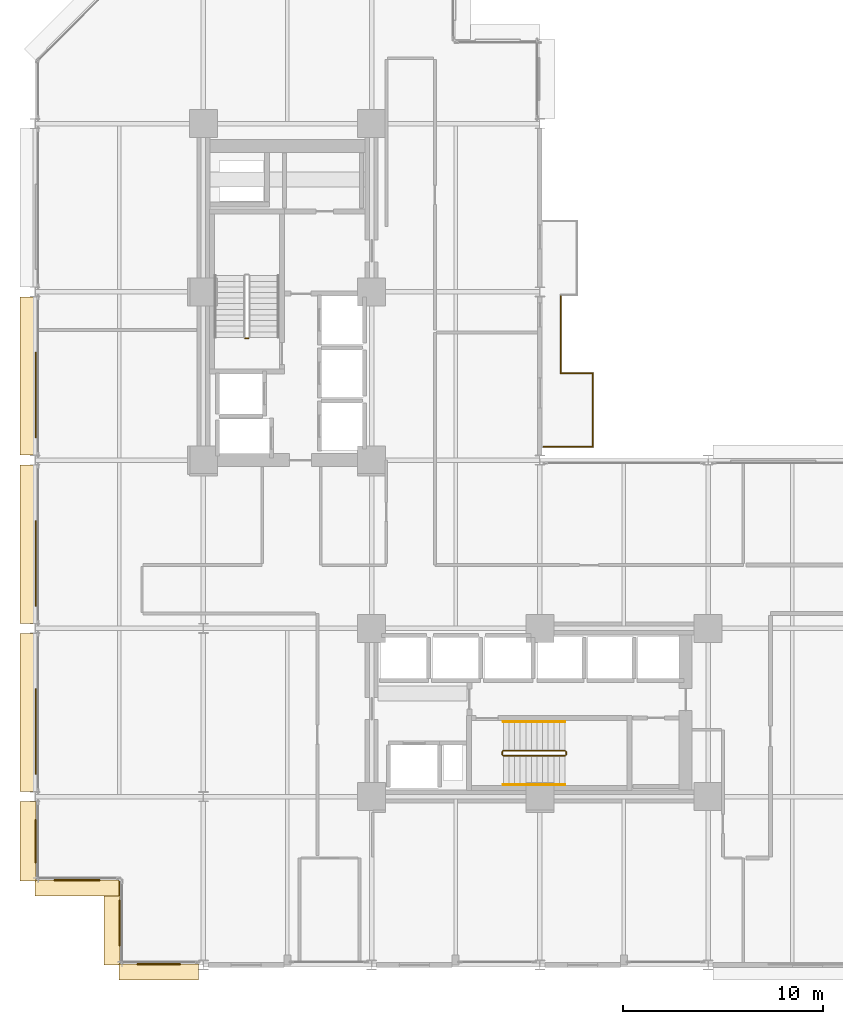
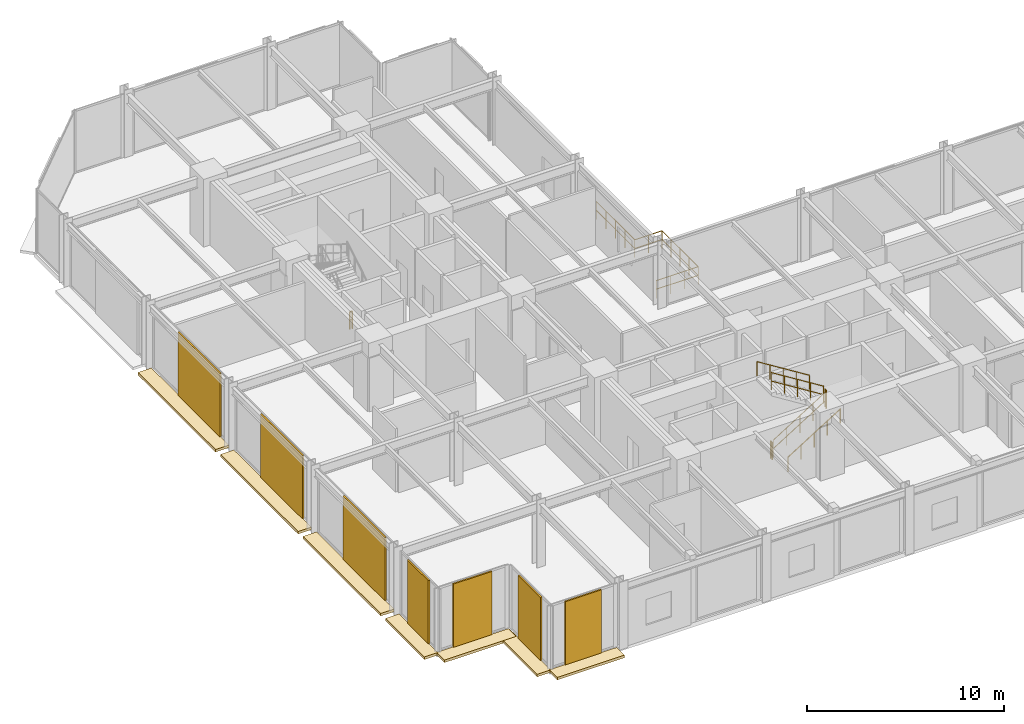
# One storey, part 23 of 25: 14 coverings, 11 railings.
"""IFC4 building model written with IfcOpenShell, lengths in metres."""

from ifc_helpers import new_model, si_unit, direction, frame, origin, origin_2d, place, context, subcontext, project, spatial, polyline, rectangle, circle, outline, extrude, material, layer, layer_set, type_object, element, save


model = new_model("IFC4")

# Units and contexts
model_context = context("Model", 3, precision=1e-05, world=origin(), true_north=direction((0.0, 1.0)))
body_context = subcontext(model_context, "Body", "Model", "MODEL_VIEW")
ifc_project = project(units=[si_unit("LENGTHUNIT", "METRE"), si_unit("AREAUNIT", "SQUARE_METRE"), si_unit("VOLUMEUNIT", "CUBIC_METRE"), si_unit("PLANEANGLEUNIT", "RADIAN"), si_unit("MASSUNIT", "GRAM", prefix="KILO")], contexts=[model_context])

# Site, building, storey
site_placement = place(None, origin())
site = spatial("IfcSite", under=ifc_project, at=site_placement, CompositionType="ELEMENT")
building_placement = place(site_placement, origin())
building = spatial("IfcBuilding", under=site, at=building_placement, Name="Nerrivon Quay Data Exchange", CompositionType="ELEMENT")
storey_placement = place(building_placement, frame((0.0, 0.0, 29.0)))
storey = spatial("IfcBuildingStorey", under=building, at=storey_placement, Name="L06", CompositionType="ELEMENT", Elevation=29.0)

# Coverings
ifc_material_1 = material(Name="Architectural terracotta ceramic", Category="masonry")
ifc_layer_1 = layer(ifc_material_1, 0.159912109375)
ifc_layer_set_1 = layer_set([ifc_layer_1], Name="Architectural terracotta ceramic")
covering_type_1 = type_object("IfcCoveringType", Name="COV-BLD-TERR", PredefinedType="CLADDING", material=ifc_layer_set_1)
covering_1_placement = place(storey_placement, frame((0.0, 0.0, -0.159912109375)))
element("IfcCovering", 1, at=covering_1_placement, inside=storey, type_object=covering_type_1, Name="L06 Horizontal Terracotta SOLAR SCREEN Blade", PredefinedType="CLADDING", context=body_context, shape_type="SweptSolid", body=[
    extrude(outline(polyline([(8.14990234375, 0.0400390625), (4.199951171875, 0.0400390625), (4.199951171875, -0.75), (8.14990234375, -0.75), (8.14990234375, 0.0400390625)])), origin(), (0.0, 0.0, 1.0), 0.159912109375),
])
covering_2_placement = place(storey_placement, frame((0.0, 0.0, -0.159912109375)))
element("IfcCovering", 2, at=covering_2_placement, inside=storey, type_object=covering_type_1, Name="L06 Horizontal Terracotta SOLAR SCREEN Blade", PredefinedType="CLADDING", context=body_context, shape_type="SweptSolid", body=[
    extrude(outline(polyline([(4.239990234375, 0.0), (4.239990234375, 4.199951171875), (3.449951171875, 4.199951171875), (3.449951171875, 0.0), (4.239990234375, 0.0)])), origin(), (0.0, 0.0, 1.0), 0.159912109375),
])
covering_3_placement = place(storey_placement, frame((0.0, 0.0, -0.159912109375)))
element("IfcCovering", 3, at=covering_3_placement, inside=storey, type_object=covering_type_1, Name="L06 Horizontal Terracotta SOLAR SCREEN Blade", PredefinedType="CLADDING", context=body_context, shape_type="SweptSolid", body=[
    extrude(outline(polyline([(4.199951171875, 4.239990234375), (0.0, 4.239990234375), (0.0, 3.449951171875), (4.199951171875, 3.449951171875), (4.199951171875, 4.239990234375)])), origin(), (0.0, 0.0, 1.0), 0.159912109375),
])
covering_4_placement = place(storey_placement, frame((0.0, 0.0, -0.159912109375)))
element("IfcCovering", 4, at=covering_4_placement, inside=storey, type_object=covering_type_1, Name="L06 Horizontal Terracotta SOLAR SCREEN Blade", PredefinedType="CLADDING", context=body_context, shape_type="SweptSolid", body=[
    extrude(outline(polyline([(0.0400390625, 4.199951171875), (0.0400390625, 8.14990234375), (-0.75, 8.14990234375), (-0.75, 4.199951171875), (0.0400390625, 4.199951171875)])), origin(), (0.0, 0.0, 1.0), 0.159912109375),
])
covering_5_placement = place(storey_placement, frame((0.0, 0.0, -0.159912109375)))
element("IfcCovering", 5, at=covering_5_placement, inside=storey, type_object=covering_type_1, Name="L06 Horizontal Terracotta SOLAR SCREEN Blade", PredefinedType="CLADDING", context=body_context, shape_type="SweptSolid", body=[
    extrude(outline(polyline([(0.0400390625, 8.64990234375), (0.0400390625, 16.550048828125), (-0.75, 16.550048828125), (-0.75, 8.64990234375), (0.0400390625, 8.64990234375)])), origin(), (0.0, 0.0, 1.0), 0.159912109375),
])
covering_6_placement = place(storey_placement, frame((0.0, 0.0, -0.159912109375)))
element("IfcCovering", 6, at=covering_6_placement, inside=storey, type_object=covering_type_1, Name="L06 Horizontal Terracotta SOLAR SCREEN Blade", PredefinedType="CLADDING", context=body_context, shape_type="SweptSolid", body=[
    extrude(outline(polyline([(0.0400390625, 17.050048828125), (0.0400390625, 24.949951171875), (-0.75, 24.949951171875), (-0.75, 17.050048828125), (0.0400390625, 17.050048828125)])), origin(), (0.0, 0.0, 1.0), 0.159912109375),
])
covering_7_placement = place(storey_placement, frame((0.0, 0.0, -0.159912109375)))
element("IfcCovering", 7, at=covering_7_placement, inside=storey, type_object=covering_type_1, Name="L06 Horizontal Terracotta SOLAR SCREEN Blade", PredefinedType="CLADDING", context=body_context, shape_type="SweptSolid", body=[
    extrude(outline(polyline([(0.0400390625, 25.449951171875), (0.0400390625, 33.35009765625), (-0.75, 33.35009765625), (-0.75, 25.449951171875), (0.0400390625, 25.449951171875)])), origin(), (0.0, 0.0, 1.0), 0.159912109375),
])
ifc_layer_2 = layer(ifc_material_1, 0.090087890625)
ifc_layer_set_2 = layer_set([ifc_layer_2], Name="Architectural terracotta ceramic")
covering_type_2 = type_object("IfcCoveringType", Name="COV-SCR-TERR", PredefinedType="CLADDING", material=ifc_layer_set_2)
covering_8_placement = place(storey_placement, frame((6.175048828125, 0.044921875, 0.0), z_axis=(0.0, 0.0, 1.0), x_axis=(-1.0, 0.0, 0.0)))
element("IfcCovering", 8, at=covering_8_placement, inside=storey, type_object=covering_type_2, Name="L06 Perforated Terracotta SOLAR SCREEN Cassette", PredefinedType="CLADDING", context=body_context, shape_type="SweptSolid", body=[
    extrude(rectangle(XDim=2.133056640625, YDim=0.090087890625, at=origin_2d()), origin(), (0.0, 0.0, 1.0), 3.925048828125),
])
for number, where, z_axis, x_axis, name in (
    (9, (4.2451171875, 2.10009765625, 0.0), (0.0, 0.0, 1.0), (0.0, 1.0, 0.0), "L06 Perforated Terracotta SOLAR SCREEN Cassette"),
    (10, (2.10009765625, 4.2451171875, 0.0), (0.0, 0.0, 1.0), (-1.0, 0.0, 0.0), "L06 Perforated Terracotta SOLAR SCREEN Cassette"),
):
    element("IfcCovering", number, at=place(storey_placement, frame(where, z_axis=z_axis, x_axis=x_axis)), inside=storey, type_object=covering_type_2, Name=name, PredefinedType="CLADDING", context=body_context, shape_type="SweptSolid", body=[
        extrude(rectangle(XDim=2.26806640625, YDim=0.090087890625, at=origin_2d()), origin(), (0.0, 0.0, 1.0), 3.925048828125),
    ])
covering_9_placement = place(storey_placement, frame((0.044921875, 6.175048828125, 0.0), z_axis=(0.0, 0.0, 1.0), x_axis=(0.0, 1.0, 0.0)))
element("IfcCovering", 11, at=covering_9_placement, inside=storey, type_object=covering_type_2, Name="L06 Perforated Terracotta SOLAR SCREEN Cassette", PredefinedType="CLADDING", context=body_context, shape_type="SweptSolid", body=[
    extrude(rectangle(XDim=2.133056640625, YDim=0.090087890625, at=origin_2d()), origin(), (0.0, 0.0, 1.0), 3.925048828125),
])
for number, where, z_axis, x_axis, name in (
    (12, (0.044921875, 11.652099609375, 0.0), (0.0, 0.0, 1.0), (0.0, 1.0, 0.0), "L06 Perforated Terracotta SOLAR SCREEN Cassette"),
    (13, (0.044921875, 20.052001953125, 0.0), (0.0, 0.0, 1.0), (0.0, 1.0, 0.0), "L06 Perforated Terracotta SOLAR SCREEN Cassette"),
    (14, (0.044921875, 28.451904296875, 0.0), (0.0, 0.0, 1.0), (0.0, 1.0, 0.0), "L06 Perforated Terracotta SOLAR SCREEN Cassette"),
):
    element("IfcCovering", number, at=place(storey_placement, frame(where, z_axis=z_axis, x_axis=x_axis)), inside=storey, type_object=covering_type_2, Name=name, PredefinedType="CLADDING", context=body_context, shape_type="SweptSolid", body=[
        extrude(rectangle(XDim=4.26611328125, YDim=0.090087890625, at=origin_2d()), origin(), (0.0, 0.0, 1.0), 3.925048828125),
    ])

# Railings
ifc_material_2 = material(Name="Steel Grade C350L0 (350 MPa)", Category="steel")
railing_type_1 = type_object("IfcRailingType", Name="RAIL-GUARD-GR2", PredefinedType="BALUSTRADE", material=ifc_material_2)
railing_1_placement = place(storey_placement, frame((26.239990234375, 29.5400390625, 0.0)))
element("IfcRailing", 15, at=railing_1_placement, inside=storey, type_object=railing_type_1, Name="L06 Verandah Balcony Guard 1.1 1", PredefinedType="BALUSTRADE", context=body_context, shape_type="SweptSolid", body=[
    extrude(circle(Radius=0.02392578125, at=origin_2d()), frame((0.0, 0.0, 1.09619140625), z_axis=(1.0, 0.0, 0.0), x_axis=(0.0, 1.0, 0.0)), (0.0, 0.0, 1.0), 1.60009765625),
    extrude(circle(Radius=0.02392578125, at=origin_2d()), frame((0.0, 0.0, 0.56005859375), z_axis=(1.0, 0.0, 0.0), x_axis=(0.0, 1.0, 0.0)), (0.0, 0.0, 1.0), 1.60009765625),
    extrude(circle(Radius=0.02099609375, at=origin_2d()), origin(), (0.0, 0.0, 1.0), 1.072021484375),
    extrude(circle(Radius=0.02099609375, at=origin_2d()), frame((0.800048828125, 0.0, 0.0)), (0.0, 0.0, 1.0), 1.072021484375),
    extrude(circle(Radius=0.02099609375, at=origin_2d()), frame((1.60009765625, 0.0, 0.0)), (0.0, 0.0, 1.0), 1.072021484375),
])
railing_2_placement = place(storey_placement, frame((27.840087890625, 29.5400390625, 0.0)))
element("IfcRailing", 16, at=railing_2_placement, inside=storey, type_object=railing_type_1, Name="L06 Verandah Balcony Guard 1.2 1", PredefinedType="BALUSTRADE", context=body_context, shape_type="SweptSolid", body=[
    extrude(circle(Radius=0.02392578125, at=origin_2d()), frame((0.0, 0.0, 1.09619140625), z_axis=(0.0, -1.0, 0.0), x_axis=(1.0, 0.0, 0.0)), (0.0, 0.0, 1.0), 3.679931640625),
    extrude(circle(Radius=0.02392578125, at=origin_2d()), frame((0.0, 0.0, 0.56005859375), z_axis=(0.0, -1.0, 0.0), x_axis=(1.0, 0.0, 0.0)), (0.0, 0.0, 1.0), 3.679931640625),
    extrude(circle(Radius=0.02099609375, at=origin_2d()), origin(), (0.0, 0.0, 1.0), 1.072021484375),
    extrude(circle(Radius=0.02099609375, at=origin_2d()), frame((0.0, -0.919921875, 0.0)), (0.0, 0.0, 1.0), 1.072021484375),
    extrude(circle(Radius=0.02099609375, at=origin_2d()), frame((0.0, -1.83984375, 0.0)), (0.0, 0.0, 1.0), 1.072021484375),
    extrude(circle(Radius=0.02099609375, at=origin_2d()), frame((0.0, -2.760009765625, 0.0)), (0.0, 0.0, 1.0), 1.072021484375),
    extrude(circle(Radius=0.02099609375, at=origin_2d()), frame((0.0, -3.679931640625, 0.0)), (0.0, 0.0, 1.0), 1.072021484375),
])
railing_3_placement = place(storey_placement, frame((27.840087890625, 25.860107421875, 0.0)))
element("IfcRailing", 17, at=railing_3_placement, inside=storey, type_object=railing_type_1, Name="L06 Verandah Balcony Guard 1.3 1", PredefinedType="BALUSTRADE", context=body_context, shape_type="SweptSolid", body=[
    extrude(circle(Radius=0.02392578125, at=origin_2d()), frame((0.0, 0.0, 1.09619140625), z_axis=(-1.0, 0.0, 0.0), x_axis=(0.0, -1.0, 0.0)), (0.0, 0.0, 1.0), 2.460205078125),
    extrude(circle(Radius=0.02392578125, at=origin_2d()), frame((0.0, 0.0, 0.56005859375), z_axis=(-1.0, 0.0, 0.0), x_axis=(0.0, -1.0, 0.0)), (0.0, 0.0, 1.0), 2.460205078125),
    extrude(circle(Radius=0.02099609375, at=origin_2d()), origin(), (0.0, 0.0, 1.0), 1.072021484375),
    extrude(circle(Radius=0.02099609375, at=origin_2d()), frame((-0.820068359375, 0.0, 0.0)), (0.0, 0.0, 1.0), 1.072021484375),
    extrude(circle(Radius=0.02099609375, at=origin_2d()), frame((-1.64013671875, 0.0, 0.0)), (0.0, 0.0, 1.0), 1.072021484375),
    extrude(circle(Radius=0.02099609375, at=origin_2d()), frame((-2.460205078125, 0.0, 0.0)), (0.0, 0.0, 1.0), 1.072021484375),
])
railing_4_placement = place(storey_placement, frame((26.239990234375, 33.4599609375, 0.0)))
element("IfcRailing", 18, at=railing_4_placement, inside=storey, type_object=railing_type_1, Name="L06 Verandah Balcony Guard 1.7 1", PredefinedType="BALUSTRADE", context=body_context, shape_type="SweptSolid", body=[
    extrude(circle(Radius=0.02392578125, at=origin_2d()), frame((0.0, 0.0, 1.09619140625), z_axis=(0.0, -1.0, 0.0), x_axis=(1.0, 0.0, 0.0)), (0.0, 0.0, 1.0), 3.919921875),
    extrude(circle(Radius=0.02392578125, at=origin_2d()), frame((0.0, 0.0, 0.56005859375), z_axis=(0.0, -1.0, 0.0), x_axis=(1.0, 0.0, 0.0)), (0.0, 0.0, 1.0), 3.919921875),
    extrude(circle(Radius=0.02099609375, at=origin_2d()), origin(), (0.0, 0.0, 1.0), 1.072021484375),
    extrude(circle(Radius=0.02099609375, at=origin_2d()), frame((0.0, -0.97998046875, 0.0)), (0.0, 0.0, 1.0), 1.072021484375),
    extrude(circle(Radius=0.02099609375, at=origin_2d()), frame((0.0, -1.9599609375, 0.0)), (0.0, 0.0, 1.0), 1.072021484375),
    extrude(circle(Radius=0.02099609375, at=origin_2d()), frame((0.0, -2.93994140625, 0.0)), (0.0, 0.0, 1.0), 1.072021484375),
    extrude(circle(Radius=0.02099609375, at=origin_2d()), frame((0.0, -3.919921875, 0.0)), (0.0, 0.0, 1.0), 1.072021484375),
])
railing_type_2 = type_object("IfcRailingType", Name="RAIL-HAND-HR1", PredefinedType="HANDRAIL", material=ifc_material_2)
railing_5_placement = place(storey_placement, frame((23.3798828125, 9.0, 0.175048828125)))
element("IfcRailing", 19, at=railing_5_placement, inside=storey, type_object=railing_type_2, Name="L06 ST02 stair handrail 1", PredefinedType="HANDRAIL", context=body_context, shape_type="SweptSolid", body=[
    extrude(circle(Radius=0.02392578125, at=origin_2d()), frame((0.0, 0.0, 0.8759765625), z_axis=(0.847998304005, 0.0, 0.529998940003), x_axis=(0.0, 1.0, 0.0)), (0.0, 0.0, 1.0), 3.632080078125),
    extrude(circle(Radius=0.02099609375, at=origin_2d()), origin(), (0.0, 0.0, 1.0), 0.851806640625),
    extrude(circle(Radius=0.02099609375, at=origin_2d()), frame((0.77001953125, 0.0, 0.481201171875)), (0.0, 0.0, 1.0), 0.851806640625),
    extrude(circle(Radius=0.02099609375, at=origin_2d()), frame((1.5400390625, 0.0, 0.96240234375)), (0.0, 0.0, 1.0), 0.851806640625),
    extrude(circle(Radius=0.02099609375, at=origin_2d()), frame((2.31005859375, 0.0, 1.44384765625)), (0.0, 0.0, 1.0), 0.851806640625),
    extrude(circle(Radius=0.02099609375, at=origin_2d()), frame((3.080078125, 0.0, 1.925048828125)), (0.0, 0.0, 1.0), 0.851806640625),
])
railing_6_placement = place(storey_placement, frame((26.4599609375, 12.14990234375, 2.27490234375)))
element("IfcRailing", 20, at=railing_6_placement, inside=storey, type_object=railing_type_2, Name="L06 ST02 stair handrail 2", PredefinedType="HANDRAIL", context=body_context, shape_type="SweptSolid", body=[
    extrude(circle(Radius=0.02392578125, at=origin_2d()), frame((0.0, 0.0, 0.8759765625), z_axis=(-0.847998304005, 0.0, 0.529998940003), x_axis=(0.0, -1.0, 0.0)), (0.0, 0.0, 1.0), 3.632080078125),
    extrude(circle(Radius=0.02099609375, at=origin_2d()), origin(), (0.0, 0.0, 1.0), 0.851806640625),
    extrude(circle(Radius=0.02099609375, at=origin_2d()), frame((-0.77001953125, 0.0, 0.481201171875)), (0.0, 0.0, 1.0), 0.851806640625),
    extrude(circle(Radius=0.02099609375, at=origin_2d()), frame((-1.5400390625, 0.0, 0.96240234375)), (0.0, 0.0, 1.0), 0.851806640625),
    extrude(circle(Radius=0.02099609375, at=origin_2d()), frame((-2.31005859375, 0.0, 1.44384765625)), (0.0, 0.0, 1.0), 0.851806640625),
    extrude(circle(Radius=0.02099609375, at=origin_2d()), frame((-3.080078125, 0.0, 1.925048828125)), (0.0, 0.0, 1.0), 0.851806640625),
])
railing_type_3 = type_object("IfcRailingType", Name="RAIL-STAIR-GR1", PredefinedType="BALUSTRADE", material=ifc_material_2)
railing_7_placement = place(storey_placement, frame((10.64990234375, 31.280029296875, 0.0)))
element("IfcRailing", 21, at=railing_7_placement, inside=storey, type_object=railing_type_3, Name="L06 ST01 stair guard 4", PredefinedType="BALUSTRADE", context=body_context, shape_type="SweptSolid", body=[
    extrude(circle(Radius=0.02392578125, at=origin_2d()), frame((0.0, 0.0, 1.076171875), z_axis=(-1.0, 0.0, 0.0), x_axis=(0.0, -1.0, 0.0)), (0.0, 0.0, 1.0), 0.14990234375),
    extrude(circle(Radius=0.02392578125, at=origin_2d()), frame((0.0, 0.0, 0.550048828125), z_axis=(-1.0, 0.0, 0.0), x_axis=(0.0, -1.0, 0.0)), (0.0, 0.0, 1.0), 0.14990234375),
    extrude(circle(Radius=0.02099609375, at=origin_2d()), origin(), (0.0, 0.0, 1.0), 1.052001953125),
    extrude(circle(Radius=0.02099609375, at=origin_2d()), frame((-0.14990234375, 0.0, 0.0)), (0.0, 0.0, 1.0), 1.052001953125),
])
railing_8_placement = place(storey_placement, frame((23.3798828125, 10.449951171875, 0.175048828125)))
element("IfcRailing", 22, at=railing_8_placement, inside=storey, type_object=railing_type_3, Name="L06 ST02 stair guard 1", PredefinedType="BALUSTRADE", context=body_context, shape_type="SweptSolid", body=[
    extrude(circle(Radius=0.02392578125, at=origin_2d()), frame((0.0, 0.0, 1.076171875), z_axis=(0.847998304005, 0.0, 0.529998940003), x_axis=(0.0, 1.0, 0.0)), (0.0, 0.0, 1.0), 3.632080078125),
    extrude(circle(Radius=0.02392578125, at=origin_2d()), frame((0.0, 0.0, 0.550048828125), z_axis=(0.847998304005, 0.0, 0.529998940003), x_axis=(0.0, 1.0, 0.0)), (0.0, 0.0, 1.0), 3.632080078125),
    extrude(circle(Radius=0.02099609375, at=origin_2d()), origin(), (0.0, 0.0, 1.0), 1.052001953125),
    extrude(circle(Radius=0.02099609375, at=origin_2d()), frame((0.77001953125, 0.0, 0.481201171875)), (0.0, 0.0, 1.0), 1.052001953125),
    extrude(circle(Radius=0.02099609375, at=origin_2d()), frame((1.5400390625, 0.0, 0.96240234375)), (0.0, 0.0, 1.0), 1.052001953125),
    extrude(circle(Radius=0.02099609375, at=origin_2d()), frame((2.31005859375, 0.0, 1.44384765625)), (0.0, 0.0, 1.0), 1.052001953125),
    extrude(circle(Radius=0.02099609375, at=origin_2d()), frame((3.080078125, 0.0, 1.925048828125)), (0.0, 0.0, 1.0), 1.052001953125),
])
railing_9_placement = place(storey_placement, frame((26.510009765625, 10.5, 2.10009765625)))
element("IfcRailing", 23, at=railing_9_placement, inside=storey, type_object=railing_type_3, Name="L06 ST02 stair guard 2", PredefinedType="BALUSTRADE", context=body_context, shape_type="SweptSolid", body=[
    extrude(circle(Radius=0.02392578125, at=origin_2d()), frame((0.0, 0.0, 1.076171875), z_axis=(0.0, 1.0, 0.0), x_axis=(-1.0, 0.0, 0.0)), (0.0, 0.0, 1.0), 0.14990234375),
    extrude(circle(Radius=0.02392578125, at=origin_2d()), frame((0.0, 0.0, 0.550048828125), z_axis=(0.0, 1.0, 0.0), x_axis=(-1.0, 0.0, 0.0)), (0.0, 0.0, 1.0), 0.14990234375),
    extrude(circle(Radius=0.02099609375, at=origin_2d()), origin(), (0.0, 0.0, 1.0), 1.052001953125),
    extrude(circle(Radius=0.02099609375, at=origin_2d()), frame((0.0, 0.14990234375, 0.0)), (0.0, 0.0, 1.0), 1.052001953125),
])
railing_10_placement = place(storey_placement, frame((26.4599609375, 10.699951171875, 2.27490234375)))
element("IfcRailing", 24, at=railing_10_placement, inside=storey, type_object=railing_type_3, Name="L06 ST02 stair guard 3", PredefinedType="BALUSTRADE", context=body_context, shape_type="SweptSolid", body=[
    extrude(circle(Radius=0.02392578125, at=origin_2d()), frame((0.0, 0.0, 1.076171875), z_axis=(-0.847998304005, 0.0, 0.529998940003), x_axis=(0.0, -1.0, 0.0)), (0.0, 0.0, 1.0), 3.632080078125),
    extrude(circle(Radius=0.02392578125, at=origin_2d()), frame((0.0, 0.0, 0.550048828125), z_axis=(-0.847998304005, 0.0, 0.529998940003), x_axis=(0.0, -1.0, 0.0)), (0.0, 0.0, 1.0), 3.632080078125),
    extrude(circle(Radius=0.02099609375, at=origin_2d()), origin(), (0.0, 0.0, 1.0), 1.052001953125),
    extrude(circle(Radius=0.02099609375, at=origin_2d()), frame((-0.77001953125, 0.0, 0.481201171875)), (0.0, 0.0, 1.0), 1.052001953125),
    extrude(circle(Radius=0.02099609375, at=origin_2d()), frame((-1.5400390625, 0.0, 0.96240234375)), (0.0, 0.0, 1.0), 1.052001953125),
    extrude(circle(Radius=0.02099609375, at=origin_2d()), frame((-2.31005859375, 0.0, 1.44384765625)), (0.0, 0.0, 1.0), 1.052001953125),
    extrude(circle(Radius=0.02099609375, at=origin_2d()), frame((-3.080078125, 0.0, 1.925048828125)), (0.0, 0.0, 1.0), 1.052001953125),
])
railing_11_placement = place(storey_placement, frame((23.330078125, 10.5, 0.0)))
element("IfcRailing", 25, at=railing_11_placement, inside=storey, type_object=railing_type_3, Name="L06 ST02 stair guard 4", PredefinedType="BALUSTRADE", context=body_context, shape_type="SweptSolid", body=[
    extrude(circle(Radius=0.02392578125, at=origin_2d()), frame((0.0, 0.0, 1.076171875), z_axis=(0.0, 1.0, 0.0), x_axis=(-1.0, 0.0, 0.0)), (0.0, 0.0, 1.0), 0.14990234375),
    extrude(circle(Radius=0.02392578125, at=origin_2d()), frame((0.0, 0.0, 0.550048828125), z_axis=(0.0, 1.0, 0.0), x_axis=(-1.0, 0.0, 0.0)), (0.0, 0.0, 1.0), 0.14990234375),
    extrude(circle(Radius=0.02099609375, at=origin_2d()), origin(), (0.0, 0.0, 1.0), 1.052001953125),
    extrude(circle(Radius=0.02099609375, at=origin_2d()), frame((0.0, 0.14990234375, 0.0)), (0.0, 0.0, 1.0), 1.052001953125),
])

save(model, "model.ifc")
